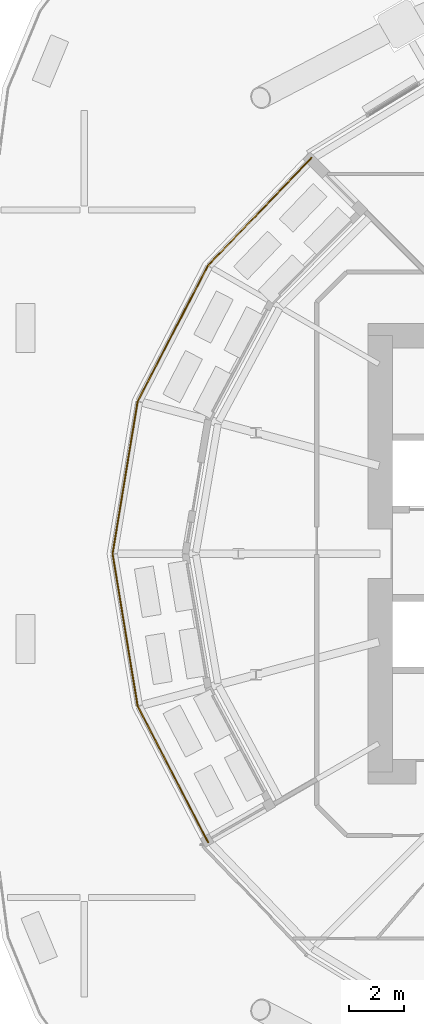
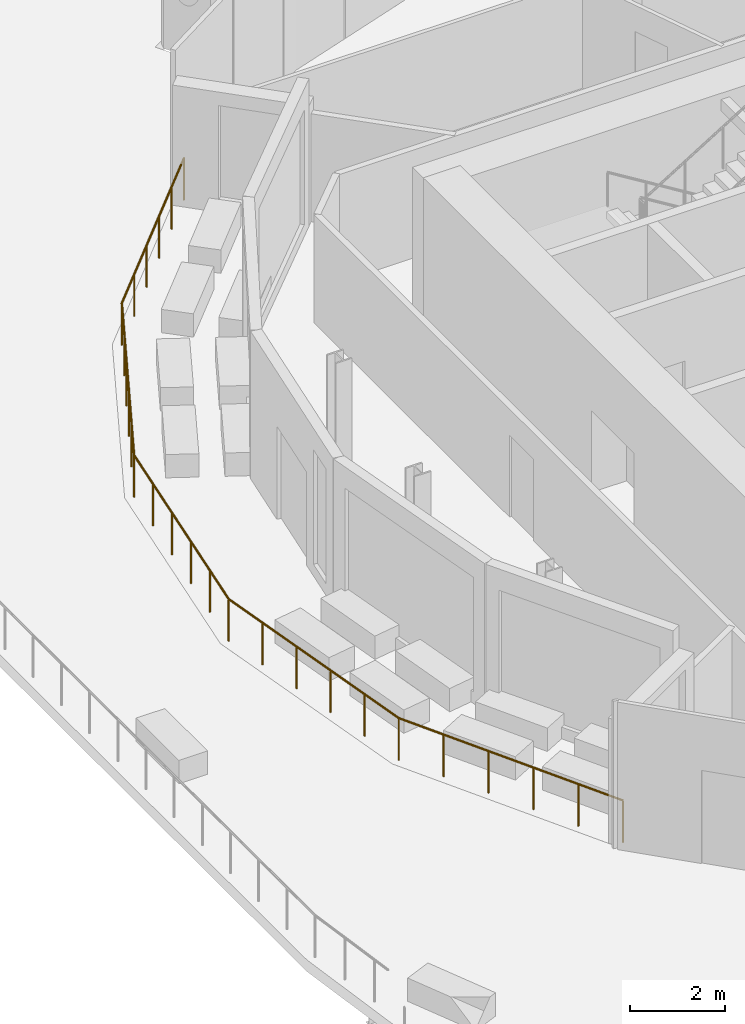
# One storey, part 36 of 47: 1 railing.
"""IFC4 building model written with IfcOpenShell, lengths in metres."""

from ifc_helpers import new_model, si_unit, direction, frame, origin, origin_2d, place, context, subcontext, project, spatial, circle, extrude, material, type_object, element, save


model = new_model("IFC4")

# Units and contexts
model_context = context("Model", 3, precision=1e-05, world=origin(), true_north=direction((0.0, 1.0)))
body_context = subcontext(model_context, "Body", "Model", "MODEL_VIEW")
ifc_project = project(units=[si_unit("LENGTHUNIT", "METRE"), si_unit("AREAUNIT", "SQUARE_METRE"), si_unit("VOLUMEUNIT", "CUBIC_METRE"), si_unit("PLANEANGLEUNIT", "RADIAN"), si_unit("MASSUNIT", "GRAM", prefix="KILO")], contexts=[model_context])

# Site, building, storey
site_placement = place(None, origin())
site = spatial("IfcSite", under=ifc_project, at=site_placement, CompositionType="ELEMENT")
building_placement = place(site_placement, origin())
building = spatial("IfcBuilding", under=site, at=building_placement, Name="Rimbun Link Towers", CompositionType="ELEMENT")
storey_placement = place(building_placement, frame((0.0, 0.0, 30.0)))
storey = spatial("IfcBuildingStorey", under=building, at=storey_placement, Name="L06", CompositionType="ELEMENT", Elevation=30.0)

# Railing
ifc_material = material(Name="Stainless steel grade 316", Category="steel")
railing_type = type_object("IfcRailingType", Name="GUARD stainless rail and posts", PredefinedType="GUARDRAIL", material=ifc_material)
railing_placement = place(storey_placement, frame((-46.266357421875, 14.5224609375, 0.0)))
element("IfcRailing", 1, at=railing_placement, inside=storey, type_object=railing_type, Name="GUARD", PredefinedType="GUARDRAIL", context=body_context, shape_type="SweptSolid", body=[
    extrude(circle(Radius=0.02392578125, at=origin_2d()), frame((0.0, 0.0, 1.076171875), z_axis=(-0.692071267368, -0.72182917708, 0.0), x_axis=(0.72182917708, -0.692071267368, 0.0)), (0.0, 0.0, 1.0), 5.496826171875),
    extrude(circle(Radius=0.02392578125, at=origin_2d()), frame((-3.80419921875, -3.9677734375, 1.076171875), z_axis=(-0.459546376594, -0.888153774838, 0.0), x_axis=(0.888153774838, -0.459546376594, 0.0)), (0.0, 0.0, 1.0), 5.5947265625),
    extrude(circle(Radius=0.02392578125, at=origin_2d()), frame((-6.375244140625, -8.936767578125, 1.076171875), z_axis=(-0.162251470729, -0.986749441472, 0.0), x_axis=(0.986749441472, -0.162251470729, 0.0)), (0.0, 0.0, 1.0), 5.66064453125),
    extrude(circle(Radius=0.02392578125, at=origin_2d()), frame((-7.293701171875, -14.5224609375, 1.076171875), z_axis=(0.162251470729, -0.986749441472, 0.0), x_axis=(0.986749441472, 0.162251470729, 0.0)), (0.0, 0.0, 1.0), 5.66064453125),
    extrude(circle(Radius=0.02392578125, at=origin_2d()), frame((-6.375244140625, -20.108154296875, 1.076171875), z_axis=(0.459569360025, -0.88814188243, 0.0), x_axis=(0.88814188243, 0.459569360025, 0.0)), (0.0, 0.0, 1.0), 5.623779296875),
    extrude(circle(Radius=0.02099609375, at=origin_2d()), origin(), (0.0, 0.0, 1.0), 1.052001953125),
    extrude(circle(Radius=0.02099609375, at=origin_2d()), frame((-0.7607421875, -0.79345703125, 0.0)), (0.0, 0.0, 1.0), 1.052001953125),
    extrude(circle(Radius=0.02099609375, at=origin_2d()), frame((-1.521728515625, -1.587158203125, 0.0)), (0.0, 0.0, 1.0), 1.052001953125),
    extrude(circle(Radius=0.02099609375, at=origin_2d()), frame((-2.282470703125, -2.380615234375, 0.0)), (0.0, 0.0, 1.0), 1.052001953125),
    extrude(circle(Radius=0.02099609375, at=origin_2d()), frame((-3.04345703125, -3.17431640625, 0.0)), (0.0, 0.0, 1.0), 1.052001953125),
    extrude(circle(Radius=0.02099609375, at=origin_2d()), frame((-3.80419921875, -3.9677734375, 0.0)), (0.0, 0.0, 1.0), 1.052001953125),
    extrude(circle(Radius=0.02099609375, at=origin_2d()), frame((-4.318359375, -4.961669921875, 0.0)), (0.0, 0.0, 1.0), 1.052001953125),
    extrude(circle(Radius=0.02099609375, at=origin_2d()), frame((-4.83251953125, -5.955322265625, 0.0)), (0.0, 0.0, 1.0), 1.052001953125),
    extrude(circle(Radius=0.02099609375, at=origin_2d()), frame((-5.346923828125, -6.94921875, 0.0)), (0.0, 0.0, 1.0), 1.052001953125),
    extrude(circle(Radius=0.02099609375, at=origin_2d()), frame((-5.861083984375, -7.94287109375, 0.0)), (0.0, 0.0, 1.0), 1.052001953125),
    extrude(circle(Radius=0.02099609375, at=origin_2d()), frame((-6.375244140625, -8.936767578125, 0.0)), (0.0, 0.0, 1.0), 1.052001953125),
    extrude(circle(Radius=0.02099609375, at=origin_2d()), frame((-6.558837890625, -10.053955078125, 0.0)), (0.0, 0.0, 1.0), 1.052001953125),
    extrude(circle(Radius=0.02099609375, at=origin_2d()), frame((-6.74267578125, -11.171142578125, 0.0)), (0.0, 0.0, 1.0), 1.052001953125),
    extrude(circle(Radius=0.02099609375, at=origin_2d()), frame((-6.92626953125, -12.2880859375, 0.0)), (0.0, 0.0, 1.0), 1.052001953125),
    extrude(circle(Radius=0.02099609375, at=origin_2d()), frame((-7.110107421875, -13.4052734375, 0.0)), (0.0, 0.0, 1.0), 1.052001953125),
    extrude(circle(Radius=0.02099609375, at=origin_2d()), frame((-7.293701171875, -14.5224609375, 0.0)), (0.0, 0.0, 1.0), 1.052001953125),
    extrude(circle(Radius=0.02099609375, at=origin_2d()), frame((-7.110107421875, -15.6396484375, 0.0)), (0.0, 0.0, 1.0), 1.052001953125),
    extrude(circle(Radius=0.02099609375, at=origin_2d()), frame((-6.92626953125, -16.7568359375, 0.0)), (0.0, 0.0, 1.0), 1.052001953125),
    extrude(circle(Radius=0.02099609375, at=origin_2d()), frame((-6.74267578125, -17.873779296875, 0.0)), (0.0, 0.0, 1.0), 1.052001953125),
    extrude(circle(Radius=0.02099609375, at=origin_2d()), frame((-6.558837890625, -18.990966796875, 0.0)), (0.0, 0.0, 1.0), 1.052001953125),
    extrude(circle(Radius=0.02099609375, at=origin_2d()), frame((-6.375244140625, -20.108154296875, 0.0)), (0.0, 0.0, 1.0), 1.052001953125),
    extrude(circle(Radius=0.02099609375, at=origin_2d()), frame((-5.8583984375, -21.107177734375, 0.0)), (0.0, 0.0, 1.0), 1.052001953125),
    extrude(circle(Radius=0.02099609375, at=origin_2d()), frame((-5.341552734375, -22.10595703125, 0.0)), (0.0, 0.0, 1.0), 1.052001953125),
    extrude(circle(Radius=0.02099609375, at=origin_2d()), frame((-4.824462890625, -23.10498046875, 0.0)), (0.0, 0.0, 1.0), 1.052001953125),
    extrude(circle(Radius=0.02099609375, at=origin_2d()), frame((-4.3076171875, -24.103759765625, 0.0)), (0.0, 0.0, 1.0), 1.052001953125),
    extrude(circle(Radius=0.02099609375, at=origin_2d()), frame((-3.790771484375, -25.102783203125, 0.0)), (0.0, 0.0, 1.0), 1.052001953125),
])

save(model, "model.ifc")
